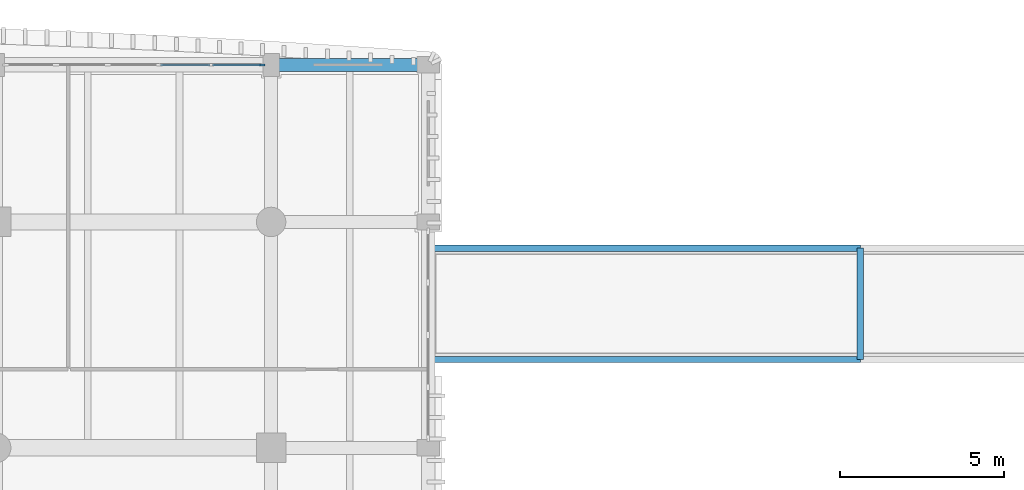
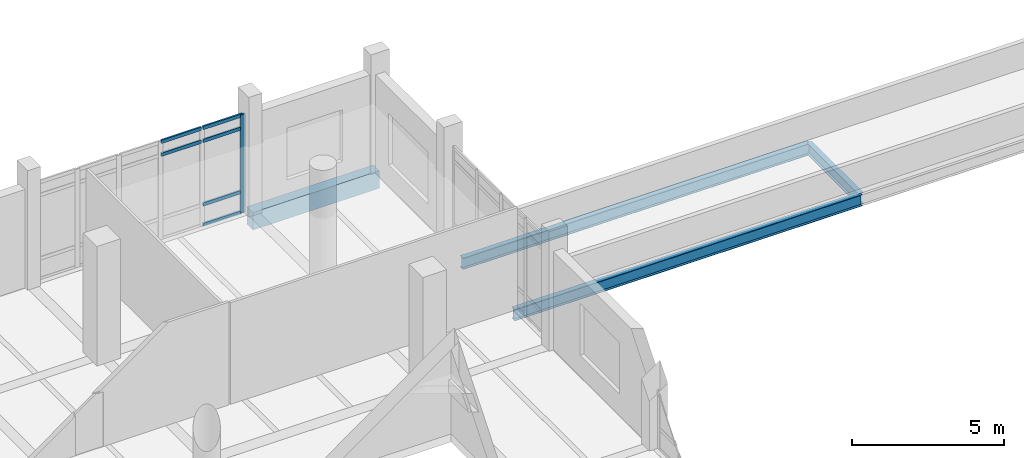
# One storey, part 30 of 101: 7 members, 4 beams, 1 element without a shape of its own.
"""IFC4 building model written with IfcOpenShell, lengths in metres."""

from ifc_helpers import new_model, si_unit, direction, frame, origin, origin_2d, place, context, subcontext, project, spatial, rectangle, i_section, extrude, material, material_profile, profile_set, type_object, element, aggregate, save


model = new_model("IFC4")

# Units and contexts
model_context = context("Model", 3, precision=1e-05, world=origin(), true_north=direction((0.0, 1.0)))
body_context = subcontext(model_context, "Body", "Model", "MODEL_VIEW")
ifc_project = project(units=[si_unit("LENGTHUNIT", "METRE"), si_unit("AREAUNIT", "SQUARE_METRE"), si_unit("VOLUMEUNIT", "CUBIC_METRE"), si_unit("PLANEANGLEUNIT", "RADIAN"), si_unit("MASSUNIT", "GRAM", prefix="KILO")], contexts=[model_context])

# Site, building, storey
site_placement = place(None, origin())
site = spatial("IfcSite", under=ifc_project, at=site_placement, CompositionType="ELEMENT")
building_placement = place(site_placement, origin())
building = spatial("IfcBuilding", under=site, at=building_placement, Name="Dornvale Research Institute", CompositionType="ELEMENT")
storey_placement = place(building_placement, frame((0.0, 0.0, 10.199951171875)))
storey = spatial("IfcBuildingStorey", under=building, at=storey_placement, Name="L02", CompositionType="ELEMENT", Elevation=10.199951171875)

# Beams
ifc_material_1 = material(Name="Steel ASTM A992 Grade 50", Category="steel")
ifc_material_profile_1 = material_profile(ifc_material_1, i_section(OverallWidth=0.19091796875, OverallDepth=0.4599609375, WebThickness=0.010009765625, FlangeThickness=0.01611328125, at=origin_2d()), Name="W18X55")
ifc_profile_set_1 = profile_set([ifc_material_profile_1], Name="Steel ASTM A992 Grade 50")
beam_type_1 = type_object("IfcBeamType", Name="Beam_Steel_W18X55_Canopy", PredefinedType="BEAM", material=ifc_profile_set_1)
for number, where, z_axis, x_axis, name in (
    (1, (46.199951171875, 113.10009765625, -0.409912109375), (1.0, 0.0, 0.0), (0.0, 1.0, 0.0), "L02 BR-5 roof south beam #2026"),
    (2, (46.199951171875, 116.5, -0.409912109375), (1.0, 0.0, 0.0), (0.0, 1.0, 0.0), "L02 BR-5 roof north beam #2026"),
):
    element("IfcBeam", number, at=place(storey_placement, frame(where, z_axis=z_axis, x_axis=x_axis)), inside=storey, type_object=beam_type_1, Name=name, PredefinedType="BEAM", context=body_context, shape_type="SweptSolid", body=[
        extrude(i_section(OverallWidth=0.19091796875, OverallDepth=0.4599609375, WebThickness=0.010009765625, FlangeThickness=0.01611328125, at=origin_2d()), origin(), (0.0, 0.0, 1.0), 13.199951171875),
    ])
beam_1_placement = place(storey_placement, frame((59.39990234375, 113.10009765625, -0.409912109375), z_axis=(0.0, 1.0, 0.0), x_axis=(-1.0, 0.0, 0.0)))
element("IfcBeam", 3, at=beam_1_placement, inside=storey, type_object=beam_type_1, Name="L02 BR-5 roof portal tie #2026", PredefinedType="BEAM", context=body_context, shape_type="SweptSolid", body=[
    extrude(i_section(OverallWidth=0.19091796875, OverallDepth=0.4599609375, WebThickness=0.010009765625, FlangeThickness=0.01611328125, at=origin_2d()), origin(), (0.0, 0.0, 1.0), 3.39990234375),
])

# Curtain wall, member
ifc_material_2 = material(Name="Low-E Argon Double Insulating Glazing Unit", Category="glass")
curtain_wall_type = type_object("IfcCurtainWallType", Name="UnitisedCurtainWall_V5_7900x3950", PredefinedType="USERDEFINED", material=ifc_material_2)
curtain_wall_placement = place(storey_placement, origin())
curtain_wall = element("IfcCurtainWall", 4, at=curtain_wall_placement, inside=storey, type_object=curtain_wall_type, Name="L02 V5 unitised curtain wall CW-24 #142", ObjectType="UNITISED CURTAIN WALL", PredefinedType="USERDEFINED")
ifc_material_3 = material(Name="Anodized Aluminum AA 6063-T6 Thermally Broken Frame", Category="aluminium")
ifc_material_profile_2 = material_profile(ifc_material_3, rectangle(XDim=0.06494140625, YDim=0.179931640625, at=origin_2d()), Name="ALU MULLION 65x180")
ifc_profile_set_2 = profile_set([ifc_material_profile_2], Name="Anodized Aluminum AA 6063-T6 Thermally Broken Frame")
member_type_1 = type_object("IfcMemberType", Name="Mullion_CW_65x180", PredefinedType="MULLION", material=ifc_profile_set_2)
member_1_placement = place(storey_placement, frame((41.117431640625, 122.10009765625, 0.0), z_axis=(0.0, 0.0, 1.0), x_axis=(0.0, 1.0, 0.0)))
member_1 = element("IfcMember", 5, at=member_1_placement, type_object=member_type_1, Name="CW-24 mullion 6", PredefinedType="MULLION", context=body_context, shape_type="SweptSolid", body=[
    extrude(rectangle(XDim=0.06494140625, YDim=0.179931640625, at=origin_2d()), origin(), (0.0, 0.0, 1.0), 3.949951171875),
])

# Beam
ifc_material_4 = material(Name="Concrete f'c 45 MPa (C35/45)", Category="concrete")
ifc_material_profile_3 = material_profile(ifc_material_4, rectangle(XDim=0.39990234375, YDim=0.699951171875, at=origin_2d()), Name="RC 400x700")
ifc_profile_set_3 = profile_set([ifc_material_profile_3], Name="Concrete f'c 45 MPa (C35/45)")
beam_type_2 = type_object("IfcBeamType", Name="Spandrel_RC400x700_Ext", PredefinedType="SPANDREL", material=ifc_profile_set_3)
beam_2_placement = place(storey_placement, frame((41.39990234375, 122.10009765625, -0.349853515625), z_axis=(1.0, 0.0, 0.0), x_axis=(0.0, 1.0, 0.0)))
element("IfcBeam", 6, at=beam_2_placement, inside=storey, type_object=beam_type_2, Name="L02 perimeter spandrel #602", PredefinedType="SPANDREL", context=body_context, shape_type="SweptSolid", body=[
    extrude(rectangle(XDim=0.39990234375, YDim=0.699951171875, at=origin_2d()), origin(), (0.0, 0.0, 1.0), 4.800048828125),
])

# Member
ifc_material_5 = material(Name="Anodized Aluminum AA 6063-T6 Thermally Broken Frame", Category="aluminium")
ifc_material_profile_4 = material_profile(ifc_material_5, rectangle(XDim=0.06494140625, YDim=0.135009765625, at=origin_2d()), Name="ALU TRANSOM 65x135")
ifc_profile_set_4 = profile_set([ifc_material_profile_4], Name="Anodized Aluminum AA 6063-T6 Thermally Broken Frame")
member_type_2 = type_object("IfcMemberType", Name="Transom_CW_65x135", PredefinedType="USERDEFINED", material=ifc_profile_set_4)
member_2_placement = place(storey_placement, frame((38.0224609375, 122.10009765625, 3.400146484375), z_axis=(1.0, 0.0, 0.0), x_axis=(0.0, 1.0, 0.0)))
member_2 = element("IfcMember", 7, at=member_2_placement, type_object=member_type_2, Name="CW-24 transom 4.3", ObjectType="TRANSOM", PredefinedType="USERDEFINED", context=body_context, shape_type="SweptSolid", body=[
    extrude(rectangle(XDim=0.06494140625, YDim=0.135009765625, at=origin_2d()), origin(), (0.0, 0.0, 1.0), 1.51513671875),
])

member_3_placement = place(storey_placement, frame((38.0224609375, 122.10009765625, 3.91748046875), z_axis=(1.0, 0.0, 0.0), x_axis=(0.0, 1.0, 0.0)))
member_3 = element("IfcMember", 8, at=member_3_placement, type_object=member_type_2, Name="CW-24 transom 4.4", ObjectType="TRANSOM", PredefinedType="USERDEFINED", context=body_context, shape_type="SweptSolid", body=[
    extrude(rectangle(XDim=0.06494140625, YDim=0.135009765625, at=origin_2d()), origin(), (0.0, 0.0, 1.0), 1.51513671875),
])

member_4_placement = place(storey_placement, frame((39.6025390625, 122.10009765625, 0.032470703125), z_axis=(1.0, 0.0, 0.0), x_axis=(0.0, 1.0, 0.0)))
member_4 = element("IfcMember", 9, at=member_4_placement, type_object=member_type_2, Name="CW-24 transom 5.1", ObjectType="TRANSOM", PredefinedType="USERDEFINED", context=body_context, shape_type="SweptSolid", body=[
    extrude(rectangle(XDim=0.06494140625, YDim=0.135009765625, at=origin_2d()), origin(), (0.0, 0.0, 1.0), 1.482421875),
])

member_5_placement = place(storey_placement, frame((39.6025390625, 122.10009765625, 0.85009765625), z_axis=(1.0, 0.0, 0.0), x_axis=(0.0, 1.0, 0.0)))
member_5 = element("IfcMember", 10, at=member_5_placement, type_object=member_type_2, Name="CW-24 transom 5.2", ObjectType="TRANSOM", PredefinedType="USERDEFINED", context=body_context, shape_type="SweptSolid", body=[
    extrude(rectangle(XDim=0.06494140625, YDim=0.135009765625, at=origin_2d()), origin(), (0.0, 0.0, 1.0), 1.482421875),
])

member_6_placement = place(storey_placement, frame((39.6025390625, 122.10009765625, 3.400146484375), z_axis=(1.0, 0.0, 0.0), x_axis=(0.0, 1.0, 0.0)))
member_6 = element("IfcMember", 11, at=member_6_placement, type_object=member_type_2, Name="CW-24 transom 5.3", ObjectType="TRANSOM", PredefinedType="USERDEFINED", context=body_context, shape_type="SweptSolid", body=[
    extrude(rectangle(XDim=0.06494140625, YDim=0.135009765625, at=origin_2d()), origin(), (0.0, 0.0, 1.0), 1.482421875),
])

member_7_placement = place(storey_placement, frame((39.6025390625, 122.10009765625, 3.91748046875), z_axis=(1.0, 0.0, 0.0), x_axis=(0.0, 1.0, 0.0)))
member_7 = element("IfcMember", 12, at=member_7_placement, type_object=member_type_2, Name="CW-24 transom 5.4", ObjectType="TRANSOM", PredefinedType="USERDEFINED", context=body_context, shape_type="SweptSolid", body=[
    extrude(rectangle(XDim=0.06494140625, YDim=0.135009765625, at=origin_2d()), origin(), (0.0, 0.0, 1.0), 1.482421875),
])

aggregate(curtain_wall, [member_1, member_2, member_3, member_4, member_5, member_6, member_7])

save(model, "model.ifc")
